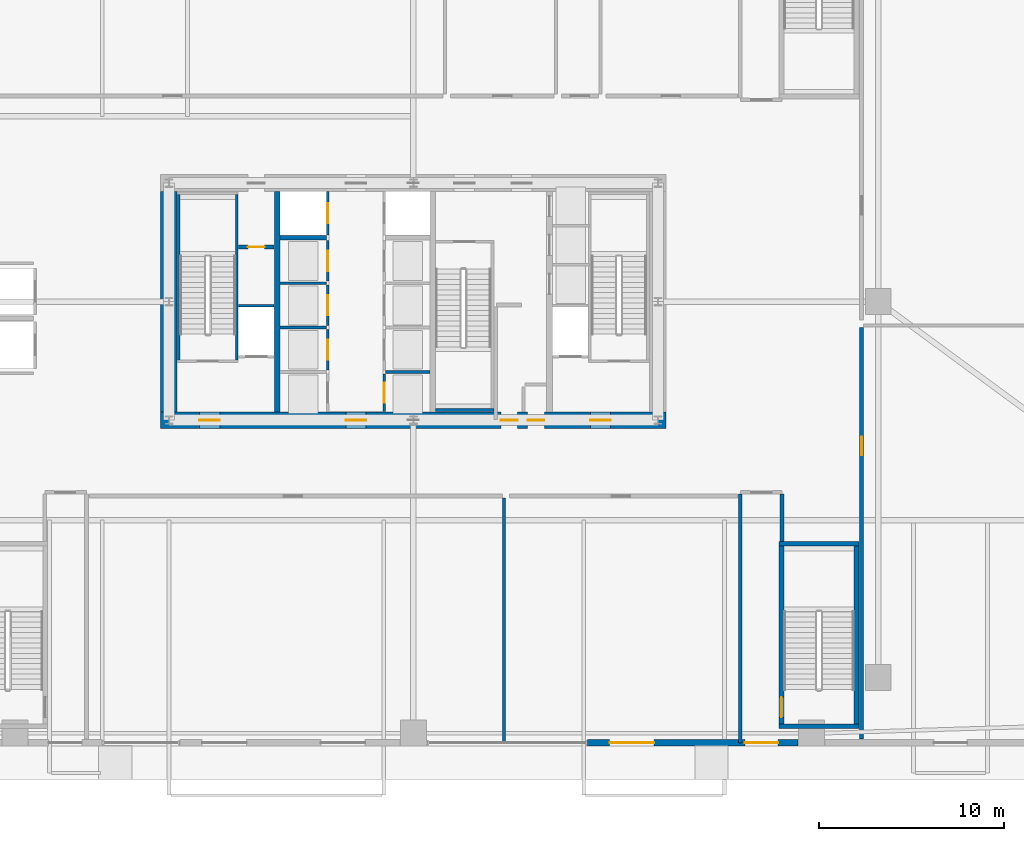
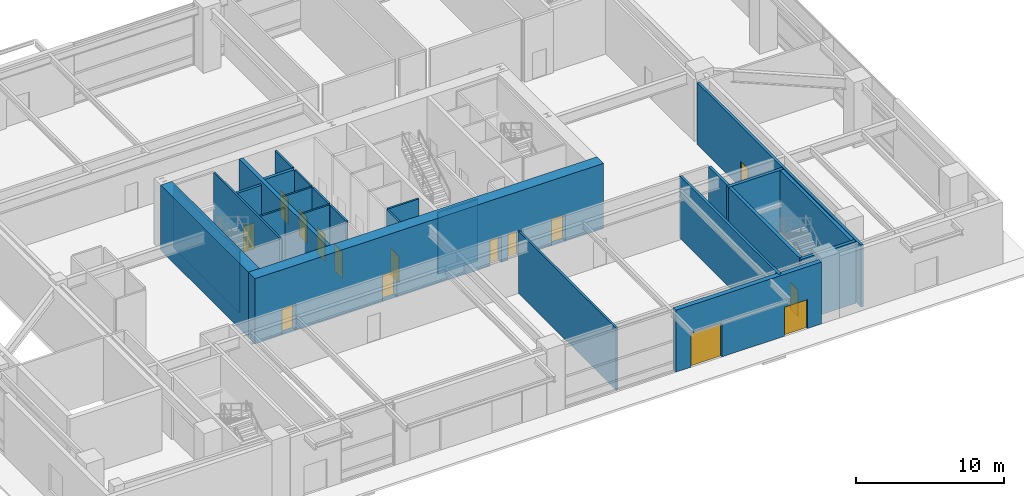
# One storey, part 25 of 32: 26 walls, 15 doors, 15 openings.
"""IFC4 building model written with IfcOpenShell, lengths in metres."""

from ifc_helpers import new_model, si_unit, direction, frame, frame_2d, origin, place, context, subcontext, project, spatial, rectangle, extrude, source, transform, mapped, material, layer, layer_set, type_object, element, fill, save


model = new_model("IFC4")

# Units and contexts
model_context = context("Model", 3, precision=1e-05, world=origin(), true_north=direction((0.0, 1.0)))
body_context = subcontext(model_context, "Body", "Model", "MODEL_VIEW")
ifc_project = project(units=[si_unit("LENGTHUNIT", "METRE"), si_unit("AREAUNIT", "SQUARE_METRE"), si_unit("VOLUMEUNIT", "CUBIC_METRE"), si_unit("PLANEANGLEUNIT", "RADIAN"), si_unit("MASSUNIT", "GRAM", prefix="KILO"), si_unit("THERMODYNAMICTEMPERATUREUNIT", "KELVIN"), si_unit("POWERUNIT", "WATT")], contexts=[model_context])

# Site, building, storey
site_placement = place(None, origin())
site = spatial("IfcSite", under=ifc_project, at=site_placement, CompositionType="ELEMENT")
building_placement = place(site_placement, origin())
building = spatial("IfcBuilding", under=site, at=building_placement, Name="Yuzanri Waterfront Tower", CompositionType="ELEMENT")
storey_placement = place(building_placement, origin())
storey = spatial("IfcBuildingStorey", under=building, at=storey_placement, Name="L01", CompositionType="ELEMENT", Elevation=0.0)

# Wall, openings, doors
ifc_material_1 = material(Name="Concrete C60", Category="concrete")
ifc_layer_1 = layer(ifc_material_1, 0.89990234375)
ifc_layer_set_1 = layer_set([ifc_layer_1], Name="Concrete C60")
wall_type_1 = type_object("IfcWallType", Name="Concrete C60 Lower Zone Core Shear Wall 900", PredefinedType="SHEAR", material=ifc_layer_set_1)
wall_1_placement = place(storey_placement, frame((23.35009765625, 19.39990234375, 0.0), z_axis=(0.0, 0.0, 1.0), x_axis=(1.0, 0.0, 0.0)))
wall_1 = element("IfcWall", 1, at=wall_1_placement, inside=storey, type_object=wall_type_1, Name="L01 Core South Shear Wall", PredefinedType="SHEAR", context=body_context, shape_type="SweptSolid", body=[
    extrude(rectangle(XDim=27.2998046875, YDim=0.89990234375, at=frame_2d((13.64990234375, 0.0))), origin(), (0.0, 0.0, 1.0), 5.39990234375),
])
opening_1_placement = place(wall_1_placement, frame((2.10009765625, 0.0, 0.0)))
opening_1 = element("IfcOpeningElement", 2, at=opening_1_placement, cuts=wall_1, Name="Opening FD-1100", PredefinedType="OPENING", context=body_context, shape_type="SweptSolid", body=[
    extrude(rectangle(XDim=1.10009765625, YDim=2.199951171875, at=frame_2d((0.550048828125, 1.10009765625))), frame((0.0, 0.46484375, 0.0), z_axis=(0.0, -1.0, 0.0), x_axis=(1.0, 0.0, 0.0)), (0.0, 0.0, 1.0), 0.9296875),
])
opening_2_placement = place(wall_1_placement, frame((10.0, 0.0, 0.0)))
opening_2 = element("IfcOpeningElement", 3, at=opening_2_placement, cuts=wall_1, Name="Opening FD-1100", PredefinedType="OPENING", context=body_context, shape_type="SweptSolid", body=[
    extrude(rectangle(XDim=1.10009765625, YDim=2.199951171875, at=frame_2d((0.550048828125, 1.10009765625))), frame((0.0, 0.46484375, 0.0), z_axis=(0.0, -1.0, 0.0), x_axis=(1.0, 0.0, 0.0)), (0.0, 0.0, 1.0), 0.9296875),
])
opening_3_placement = place(wall_1_placement, frame((23.199951171875, 0.0, 0.0)))
opening_3 = element("IfcOpeningElement", 4, at=opening_3_placement, cuts=wall_1, Name="Opening FD-1100", PredefinedType="OPENING", context=body_context, shape_type="SweptSolid", body=[
    extrude(rectangle(XDim=1.10009765625, YDim=2.199951171875, at=frame_2d((0.550048828125, 1.10009765625))), frame((0.0, 0.46484375, 0.0), z_axis=(0.0, -1.0, 0.0), x_axis=(1.0, 0.0, 0.0)), (0.0, 0.0, 1.0), 0.9296875),
])
opening_4_placement = place(wall_1_placement, frame((19.820068359375, 0.0, 0.0)))
opening_4 = element("IfcOpeningElement", 5, at=opening_4_placement, cuts=wall_1, Name="Opening FD-0900", PredefinedType="OPENING", context=body_context, shape_type="SweptSolid", body=[
    extrude(rectangle(XDim=0.89990234375, YDim=2.14990234375, at=frame_2d((0.449951171875, 1.074951171875))), frame((0.0, 0.46484375, 0.0), z_axis=(0.0, -1.0, 0.0), x_axis=(1.0, 0.0, 0.0)), (0.0, 0.0, 1.0), 0.9296875),
])
opening_5_placement = place(wall_1_placement, frame((18.3798828125, 0.0, 0.0)))
opening_5 = element("IfcOpeningElement", 6, at=opening_5_placement, cuts=wall_1, Name="Opening FD-0900", PredefinedType="OPENING", context=body_context, shape_type="SweptSolid", body=[
    extrude(rectangle(XDim=0.89990234375, YDim=2.14990234375, at=frame_2d((0.449951171875, 1.074951171875))), frame((0.0, 0.46484375, 0.0), z_axis=(0.0, -1.0, 0.0), x_axis=(1.0, 0.0, 0.0)), (0.0, 0.0, 1.0), 0.9296875),
])
ifc_material_2 = material(Name="Painted Galvanized Fire Steel", Category="steel")
door_type_1 = type_object("IfcDoorType", Name="Smoke-Proof Stair and Lobby Fire Door 1100x2200", OperationType="NOTDEFINED", PredefinedType="DOOR", material=ifc_material_2)
shared_shape_1 = source(origin(), body_context, "Body", "SweptSolid", [
    extrude(rectangle(XDim=1.10009765625, YDim=2.199951171875, at=frame_2d((0.550048828125, 1.10009765625))), frame((0.0, 0.02490234375, 0.0), z_axis=(0.0, -1.0, 0.0), x_axis=(1.0, 0.0, 0.0)), (0.0, 0.0, 1.0), 0.050048828125),
])
door_1_placement = place(opening_1_placement, origin())
door_1 = element("IfcDoor", 7, at=door_1_placement, inside=storey, type_object=door_type_1, Name="L01 West Firefighting Lobby Door", OperationType="SINGLE_SWING_LEFT", OverallHeight=2.199951171875, OverallWidth=1.10009765625, PredefinedType="DOOR", context=body_context, shape_type="MappedRepresentation", body=[
    mapped(shared_shape_1, transform((0.0, 0.0, 0.0), scale=1.0)),
])
fill(opening_1, door_1)
door_2_placement = place(opening_2_placement, origin())
door_2 = element("IfcDoor", 8, at=door_2_placement, inside=storey, type_object=door_type_1, Name="L01 Central Lift Lobby South Door", OperationType="SINGLE_SWING_RIGHT", OverallHeight=2.199951171875, OverallWidth=1.10009765625, PredefinedType="DOOR", context=body_context, shape_type="MappedRepresentation", body=[
    mapped(shared_shape_1, transform((0.0, 0.0, 0.0), scale=1.0)),
])
fill(opening_2, door_2)
door_3_placement = place(opening_3_placement, origin())
door_3 = element("IfcDoor", 9, at=door_3_placement, inside=storey, type_object=door_type_1, Name="L01 East Firefighting Lobby Door", OperationType="SINGLE_SWING_LEFT", OverallHeight=2.199951171875, OverallWidth=1.10009765625, PredefinedType="DOOR", context=body_context, shape_type="MappedRepresentation", body=[
    mapped(shared_shape_1, transform((0.0, 0.0, 0.0), scale=1.0)),
])
fill(opening_3, door_3)
ifc_material_3 = material(Name="Painted Galvanized Fire Steel", Category="steel")
door_type_2 = type_object("IfcDoorType", Name="Riser and Service Room Fire Door 900x2150", OperationType="NOTDEFINED", PredefinedType="DOOR", material=ifc_material_3)
shared_shape_2 = source(origin(), body_context, "Body", "SweptSolid", [
    extrude(rectangle(XDim=0.89990234375, YDim=2.14990234375, at=frame_2d((0.449951171875, 1.074951171875))), frame((0.0, 0.02490234375, 0.0), z_axis=(0.0, -1.0, 0.0), x_axis=(1.0, 0.0, 0.0)), (0.0, 0.0, 1.0), 0.050048828125),
])
door_4_placement = place(opening_4_placement, origin())
door_4 = element("IfcDoor", 10, at=door_4_placement, inside=storey, type_object=door_type_2, Name="L01 East Wet Riser Door", OperationType="SINGLE_SWING_LEFT", OverallHeight=2.14990234375, OverallWidth=0.89990234375, PredefinedType="DOOR", context=body_context, shape_type="MappedRepresentation", body=[
    mapped(shared_shape_2, transform((0.0, 0.0, 0.0), scale=1.0)),
])
fill(opening_4, door_4)
door_5_placement = place(opening_5_placement, origin())
door_5 = element("IfcDoor", 11, at=door_5_placement, inside=storey, type_object=door_type_2, Name="L01 Cleaners Store Room", OperationType="SINGLE_SWING_RIGHT", OverallHeight=2.14990234375, OverallWidth=0.89990234375, PredefinedType="DOOR", context=body_context, shape_type="MappedRepresentation", body=[
    mapped(shared_shape_2, transform((0.0, 0.0, 0.0), scale=1.0)),
])
fill(opening_5, door_5)

# Wall, opening, door
ifc_material_4 = material(Name="Concrete C40", Category="concrete")
ifc_layer_2 = layer(ifc_material_4, 0.139892578125)
ifc_layer_set_2 = layer_set([ifc_layer_2], Name="Concrete C40")
wall_type_2 = type_object("IfcWallType", Name="Core Stair Liner and Hoistway Shaft Wall 140", PredefinedType="SOLIDWALL", material=ifc_layer_set_2)
wall_2_placement = place(storey_placement, frame((32.3701171875, 22.10009765625, 0.0), z_axis=(0.0, 0.0, 1.0), x_axis=(0.0, 1.0, 0.0)))
wall_2 = element("IfcWall", 12, at=wall_2_placement, inside=storey, type_object=wall_type_2, Name="L01 Lift PL-02 Front Shaft Wall", PredefinedType="SOLIDWALL", context=body_context, shape_type="SweptSolid", body=[
    extrude(rectangle(XDim=2.199951171875, YDim=0.139892578125, at=frame_2d((1.10009765625, 0.0))), origin(), (0.0, 0.0, 1.0), 5.1201171875),
])
opening_6_placement = place(wall_2_placement, frame((0.550048828125, 0.0, 0.0)))
opening_6 = element("IfcOpeningElement", 13, at=opening_6_placement, cuts=wall_2, Name="Opening LD-PL-02", PredefinedType="OPENING", context=body_context, shape_type="SweptSolid", body=[
    extrude(rectangle(XDim=1.10009765625, YDim=2.199951171875, at=frame_2d((0.550048828125, 1.10009765625))), frame((0.0, 0.0849609375, 0.0), z_axis=(0.0, -1.0, 0.0), x_axis=(1.0, 0.0, 0.0)), (0.0, 0.0, 1.0), 0.169677734375),
])
ifc_material_5 = material(Name="Brushed Bronze and Stainless Steel Cab", Category="steel")
door_type_3 = type_object("IfcDoorType", Name="Center-Parting Bronze Lift Landing Sliding Door 1100x2200", OperationType="NOTDEFINED", PredefinedType="DOOR", material=ifc_material_5)
shared_shape_3 = source(origin(), body_context, "Body", "SweptSolid", [
    extrude(rectangle(XDim=1.10009765625, YDim=2.199951171875, at=frame_2d((0.550048828125, 1.10009765625))), frame((0.0, 0.02490234375, 0.0), z_axis=(0.0, -1.0, 0.0), x_axis=(1.0, 0.0, 0.0)), (0.0, 0.0, 1.0), 0.050048828125),
])
door_6_placement = place(opening_6_placement, origin())
door_6 = element("IfcDoor", 14, at=door_6_placement, inside=storey, type_object=door_type_3, Name="L01 PL-02 Lift Landing Sliding Door", OperationType="SLIDING_TO_RIGHT", OverallHeight=2.199951171875, OverallWidth=1.10009765625, PredefinedType="DOOR", context=body_context, shape_type="MappedRepresentation", body=[
    mapped(shared_shape_3, transform((0.0, 0.0, 0.0), scale=1.0)),
])
fill(opening_6, door_6)

wall_3_placement = place(storey_placement, frame((32.3701171875, 24.5, 0.0), z_axis=(0.0, 0.0, 1.0), x_axis=(0.0, 1.0, 0.0)))
wall_3 = element("IfcWall", 15, at=wall_3_placement, inside=storey, type_object=wall_type_2, Name="L01 Lift PL-03 Front Shaft Wall", PredefinedType="SOLIDWALL", context=body_context, shape_type="SweptSolid", body=[
    extrude(rectangle(XDim=2.199951171875, YDim=0.139892578125, at=frame_2d((1.10009765625, 0.0))), origin(), (0.0, 0.0, 1.0), 5.1201171875),
])
opening_7_placement = place(wall_3_placement, frame((0.550048828125, 0.0, 0.0)))
opening_7 = element("IfcOpeningElement", 16, at=opening_7_placement, cuts=wall_3, Name="Opening LD-PL-03", PredefinedType="OPENING", context=body_context, shape_type="SweptSolid", body=[
    extrude(rectangle(XDim=1.10009765625, YDim=2.199951171875, at=frame_2d((0.550048828125, 1.10009765625))), frame((0.0, 0.0849609375, 0.0), z_axis=(0.0, -1.0, 0.0), x_axis=(1.0, 0.0, 0.0)), (0.0, 0.0, 1.0), 0.169677734375),
])
door_7_placement = place(opening_7_placement, origin())
door_7 = element("IfcDoor", 17, at=door_7_placement, inside=storey, type_object=door_type_3, Name="L01 PL-03 Lift Landing Sliding Door", OperationType="SLIDING_TO_LEFT", OverallHeight=2.199951171875, OverallWidth=1.10009765625, PredefinedType="DOOR", context=body_context, shape_type="MappedRepresentation", body=[
    mapped(shared_shape_3, transform((0.0, 0.0, 0.0), scale=1.0)),
])
fill(opening_7, door_7)

wall_4_placement = place(storey_placement, frame((32.3701171875, 26.89990234375, 0.0), z_axis=(0.0, 0.0, 1.0), x_axis=(0.0, 1.0, 0.0)))
wall_4 = element("IfcWall", 18, at=wall_4_placement, inside=storey, type_object=wall_type_2, Name="L01 Lift PL-04 Front Shaft Wall", PredefinedType="SOLIDWALL", context=body_context, shape_type="SweptSolid", body=[
    extrude(rectangle(XDim=2.2001953125, YDim=0.139892578125, at=frame_2d((1.10009765625, 0.0))), origin(), (0.0, 0.0, 1.0), 5.1201171875),
])
opening_8_placement = place(wall_4_placement, frame((0.550048828125, 0.0, 0.0)))
opening_8 = element("IfcOpeningElement", 19, at=opening_8_placement, cuts=wall_4, Name="Opening LD-PL-04", PredefinedType="OPENING", context=body_context, shape_type="SweptSolid", body=[
    extrude(rectangle(XDim=1.10009765625, YDim=2.199951171875, at=frame_2d((0.550048828125, 1.10009765625))), frame((0.0, 0.0849609375, 0.0), z_axis=(0.0, -1.0, 0.0), x_axis=(1.0, 0.0, 0.0)), (0.0, 0.0, 1.0), 0.169677734375),
])
door_8_placement = place(opening_8_placement, origin())
door_8 = element("IfcDoor", 20, at=door_8_placement, inside=storey, type_object=door_type_3, Name="L01 PL-04 Lift Landing Sliding Door", OperationType="SLIDING_TO_RIGHT", OverallHeight=2.199951171875, OverallWidth=1.10009765625, PredefinedType="DOOR", context=body_context, shape_type="MappedRepresentation", body=[
    mapped(shared_shape_3, transform((0.0, 0.0, 0.0), scale=1.0)),
])
fill(opening_8, door_8)

wall_5_placement = place(storey_placement, frame((32.3701171875, 29.39990234375, 0.0), z_axis=(0.0, 0.0, 1.0), x_axis=(0.0, 1.0, 0.0)))
wall_5 = element("IfcWall", 21, at=wall_5_placement, inside=storey, type_object=wall_type_2, Name="L01 Lift SL-01 Front Shaft Wall", PredefinedType="SOLIDWALL", context=body_context, shape_type="SweptSolid", body=[
    extrude(rectangle(XDim=2.340087890625, YDim=0.139892578125, at=frame_2d((1.169921875, 0.0))), origin(), (0.0, 0.0, 1.0), 5.1201171875),
])
opening_9_placement = place(wall_5_placement, frame((0.6201171875, 0.0, 0.0)))
opening_9 = element("IfcOpeningElement", 22, at=opening_9_placement, cuts=wall_5, Name="Opening LD-SL-01", PredefinedType="OPENING", context=body_context, shape_type="SweptSolid", body=[
    extrude(rectangle(XDim=1.10009765625, YDim=2.199951171875, at=frame_2d((0.550048828125, 1.10009765625))), frame((0.0, 0.0849609375, 0.0), z_axis=(0.0, -1.0, 0.0), x_axis=(1.0, 0.0, 0.0)), (0.0, 0.0, 1.0), 0.169677734375),
])
door_9_placement = place(opening_9_placement, origin())
door_9 = element("IfcDoor", 23, at=door_9_placement, inside=storey, type_object=door_type_3, Name="L01 SL-01 Lift Landing Sliding Door", OperationType="SLIDING_TO_LEFT", OverallHeight=2.199951171875, OverallWidth=1.10009765625, PredefinedType="DOOR", context=body_context, shape_type="MappedRepresentation", body=[
    mapped(shared_shape_3, transform((0.0, 0.0, 0.0), scale=1.0)),
])
fill(opening_9, door_9)

wall_6_placement = place(storey_placement, frame((35.429931640625, 19.860107421875, 0.0), z_axis=(0.0, 0.0, 1.0), x_axis=(0.0, 1.0, 0.0)))
wall_6 = element("IfcWall", 24, at=wall_6_placement, inside=storey, type_object=wall_type_2, Name="L01 Lift PL-05 Front Shaft Wall", PredefinedType="SOLIDWALL", context=body_context, shape_type="SweptSolid", body=[
    extrude(rectangle(XDim=2.039794921875, YDim=0.139892578125, at=frame_2d((1.02001953125, 0.0))), origin(), (0.0, 0.0, 1.0), 5.1201171875),
])
opening_10_placement = place(wall_6_placement, frame((0.469970703125, 0.0, 0.0)))
opening_10 = element("IfcOpeningElement", 25, at=opening_10_placement, cuts=wall_6, Name="Opening LD-PL-05", PredefinedType="OPENING", context=body_context, shape_type="SweptSolid", body=[
    extrude(rectangle(XDim=1.10009765625, YDim=2.199951171875, at=frame_2d((0.550048828125, 1.10009765625))), frame((0.0, 0.0849609375, 0.0), z_axis=(0.0, -1.0, 0.0), x_axis=(1.0, 0.0, 0.0)), (0.0, 0.0, 1.0), 0.169677734375),
])
door_10_placement = place(opening_10_placement, origin())
door_10 = element("IfcDoor", 26, at=door_10_placement, inside=storey, type_object=door_type_3, Name="L01 PL-05 Lift Landing Sliding Door", OperationType="SLIDING_TO_RIGHT", OverallHeight=2.199951171875, OverallWidth=1.10009765625, PredefinedType="DOOR", context=body_context, shape_type="MappedRepresentation", body=[
    mapped(shared_shape_3, transform((0.0, 0.0, 0.0), scale=1.0)),
])
fill(opening_10, door_10)

ifc_material_6 = material(Name="Autoclaved Aerated Concrete Blockwork", Category="masonry")
ifc_layer_3 = layer(ifc_material_6, 0.199951171875)
ifc_layer_set_3 = layer_set([ifc_layer_3], Name="Autoclaved Aerated Concrete Blockwork")
wall_type_3 = type_object("IfcWallType", Name="Corridor and Unit Party Fire Wall 200", PredefinedType="PARTITIONING", material=ifc_layer_set_3)
wall_7_placement = place(storey_placement, frame((27.56005859375, 28.75, 0.0), z_axis=(0.0, 0.0, 1.0), x_axis=(1.0, 0.0, 0.0)))
wall_7 = element("IfcWall", 27, at=wall_7_placement, inside=storey, type_object=wall_type_3, Name="L01 Partition CRW-L01-ERTR", PredefinedType="PARTITIONING", context=body_context, shape_type="SweptSolid", body=[
    extrude(rectangle(XDim=1.919921875, YDim=0.199951171875, at=frame_2d((0.9599609375, 0.0))), origin(), (0.0, 0.0, 1.0), 5.1201171875),
])
opening_11_placement = place(wall_7_placement, frame((0.510009765625, 0.0, 0.0)))
opening_11 = element("IfcOpeningElement", 28, at=opening_11_placement, cuts=wall_7, Name="Opening FD-0900", PredefinedType="OPENING", context=body_context, shape_type="SweptSolid", body=[
    extrude(rectangle(XDim=0.89990234375, YDim=2.14990234375, at=frame_2d((0.449951171875, 1.074951171875))), frame((0.0, 0.11474609375, 0.0), z_axis=(0.0, -1.0, 0.0), x_axis=(1.0, 0.0, 0.0)), (0.0, 0.0, 1.0), 0.229736328125),
])
door_11_placement = place(opening_11_placement, origin())
door_11 = element("IfcDoor", 29, at=door_11_placement, inside=storey, type_object=door_type_2, Name="L01 Electrical Riser Door", OperationType="SINGLE_SWING_RIGHT", OverallHeight=2.14990234375, OverallWidth=0.89990234375, PredefinedType="DOOR", context=body_context, shape_type="MappedRepresentation", body=[
    mapped(shared_shape_2, transform((0.0, 0.0, 0.0), scale=1.0)),
])
fill(opening_11, door_11)

wall_8_placement = place(storey_placement, frame((61.199951171875, 2.179931640625, 0.0), z_axis=(0.0, 0.0, 1.0), x_axis=(0.0, 1.0, 0.0)))
wall_8 = element("IfcWall", 30, at=wall_8_placement, inside=storey, type_object=wall_type_3, Name="L01 Partition PRW-L01-029-W", PredefinedType="PARTITIONING", context=body_context, shape_type="SweptSolid", body=[
    extrude(rectangle(XDim=22.219970703125, YDim=0.199951171875, at=frame_2d((11.10986328125, 0.0))), origin(), (0.0, 0.0, 1.0), 5.1201171875),
])
opening_12_placement = place(wall_8_placement, frame((15.320068359375, 0.0, 0.0)))
opening_12 = element("IfcOpeningElement", 31, at=opening_12_placement, cuts=wall_8, Name="Opening FD-1000", PredefinedType="OPENING", context=body_context, shape_type="SweptSolid", body=[
    extrude(rectangle(XDim=1.0, YDim=2.199951171875, at=frame_2d((0.5, 1.10009765625))), frame((0.0, 0.11474609375, 0.0), z_axis=(0.0, -1.0, 0.0), x_axis=(1.0, 0.0, 0.0)), (0.0, 0.0, 1.0), 0.229736328125),
])
ifc_material_7 = material(Name="Engineered Oak Fire-Rated Timber", Category="wood")
door_type_4 = type_object("IfcDoorType", Name="Guestroom and Apartment Entrance Fire Door 1000x2200", OperationType="NOTDEFINED", PredefinedType="DOOR", material=ifc_material_7)
shared_shape_4 = source(origin(), body_context, "Body", "SweptSolid", [
    extrude(rectangle(XDim=1.0, YDim=2.199951171875, at=frame_2d((0.5, 1.10009765625))), frame((0.0, 0.02490234375, 0.0), z_axis=(0.0, -1.0, 0.0), x_axis=(1.0, 0.0, 0.0)), (0.0, 0.0, 1.0), 0.050048828125),
])
door_12_placement = place(opening_12_placement, origin())
door_12 = element("IfcDoor", 32, at=door_12_placement, inside=storey, type_object=door_type_4, Name="L01 Flagship Waterfront Retail Gallery", OperationType="SINGLE_SWING_LEFT", OverallHeight=2.199951171875, OverallWidth=1.0, PredefinedType="DOOR", context=body_context, shape_type="MappedRepresentation", body=[
    mapped(shared_shape_4, transform((0.0, 0.0, 0.0), scale=1.0)),
])
fill(opening_12, door_12)

# Wall, openings, doors
ifc_material_8 = material(Name="Honed Chongqing Dark Basalt Stone", Category="masonry")
ifc_layer_4 = layer(ifc_material_8, 0.360107421875)
ifc_layer_set_4 = layer_set([ifc_layer_4], Name="Honed Chongqing Dark Basalt Stone")
wall_type_4 = type_object("IfcWallType", Name="Honed Basalt Stone Masonry-Frame Spandrel Wall 360", PredefinedType="SOLIDWALL", material=ifc_layer_set_4)
wall_9_placement = place(storey_placement, frame((57.780029296875, 1.97998046875, 0.0), z_axis=(0.0, 0.0, 1.0), x_axis=(-1.0, 0.0, 0.0)))
wall_9 = element("IfcWall", 33, at=wall_9_placement, inside=storey, type_object=wall_type_4, Name="L01 Residences and SE Stair Entrance Portal", PredefinedType="SOLIDWALL", context=body_context, shape_type="SweptSolid", body=[
    extrude(rectangle(XDim=11.380126953125, YDim=0.360107421875, at=frame_2d((5.68994140625, 0.0))), origin(), (0.0, 0.0, 1.0), 5.1201171875),
])
opening_13_placement = place(wall_9_placement, frame((7.780029296875, 0.0, 0.0)))
opening_13 = element("IfcOpeningElement", 34, at=opening_13_placement, cuts=wall_9, Name="Opening ED-2400", PredefinedType="OPENING", context=body_context, shape_type="SweptSolid", body=[
    extrude(rectangle(XDim=2.39990234375, YDim=2.800048828125, at=frame_2d((1.199951171875, 1.39990234375))), frame((0.0, 0.19482421875, 0.0), z_axis=(0.0, -1.0, 0.0), x_axis=(1.0, 0.0, 0.0)), (0.0, 0.0, 1.0), 0.389892578125),
])
opening_14_placement = place(wall_9_placement, frame((1.080078125, 0.0, 0.0)))
opening_14 = element("IfcOpeningElement", 35, at=opening_14_placement, cuts=wall_9, Name="Opening ED-1800", PredefinedType="OPENING", context=body_context, shape_type="SweptSolid", body=[
    extrude(rectangle(XDim=1.800048828125, YDim=2.39990234375, at=frame_2d((0.89990234375, 1.199951171875))), frame((0.0, 0.19482421875, 0.0), z_axis=(0.0, -1.0, 0.0), x_axis=(1.0, 0.0, 0.0)), (0.0, 0.0, 1.0), 0.389892578125),
])
ifc_material_9 = material(Name="Anodized Architectural Bronze", Category="metal")
door_type_5 = type_object("IfcDoorType", Name="Anodized Bronze Retail Streetfront Glazed Double Entrance Door 1800x2400", OperationType="NOTDEFINED", PredefinedType="DOOR", material=ifc_material_9)
shared_shape_5 = source(origin(), body_context, "Body", "SweptSolid", [
    extrude(rectangle(XDim=1.800048828125, YDim=2.39990234375, at=frame_2d((0.89990234375, 1.199951171875))), frame((0.0, 0.02490234375, 0.0), z_axis=(0.0, -1.0, 0.0), x_axis=(1.0, 0.0, 0.0)), (0.0, 0.0, 1.0), 0.050048828125),
])
door_13_placement = place(opening_14_placement, origin())
door_13 = element("IfcDoor", 36, at=door_13_placement, inside=storey, type_object=door_type_5, Name="L01 SE Stair Street Discharge Door", OperationType="DOUBLE_DOOR_SINGLE_SWING", OverallHeight=2.39990234375, OverallWidth=1.800048828125, PredefinedType="DOOR", context=body_context, shape_type="MappedRepresentation", body=[
    mapped(shared_shape_5, transform((0.0, 0.0, 0.0), scale=1.0)),
])
fill(opening_14, door_13)
ifc_material_10 = material(Name="Anodized Architectural Bronze", Category="metal")
door_type_6 = type_object("IfcDoorType", Name="Anodized Bronze Waterfront Lobby Glazed Double Entrance Door 2400x2800", OperationType="NOTDEFINED", PredefinedType="DOOR", material=ifc_material_10)
shared_shape_6 = source(origin(), body_context, "Body", "SweptSolid", [
    extrude(rectangle(XDim=2.39990234375, YDim=2.800048828125, at=frame_2d((1.199951171875, 1.39990234375))), frame((0.0, 0.02490234375, 0.0), z_axis=(0.0, -1.0, 0.0), x_axis=(1.0, 0.0, 0.0)), (0.0, 0.0, 1.0), 0.050048828125),
])
door_14_placement = place(opening_13_placement, origin())
door_14 = element("IfcDoor", 37, at=door_14_placement, inside=storey, type_object=door_type_6, Name="L01 Residences Waterfront Entrance Door", OperationType="DOUBLE_DOOR_SINGLE_SWING", OverallHeight=2.800048828125, OverallWidth=2.39990234375, PredefinedType="DOOR", context=body_context, shape_type="MappedRepresentation", body=[
    mapped(shared_shape_6, transform((0.0, 0.0, 0.0), scale=1.0)),
])
fill(opening_13, door_14)

# Wall, opening, door
ifc_material_11 = material(Name="Concrete C40", Category="concrete")
ifc_layer_5 = layer(ifc_material_11, 0.25)
ifc_layer_set_5 = layer_set([ifc_layer_5], Name="Concrete C40")
wall_type_5 = type_object("IfcWallType", Name="Smoke-Proof Stair and Lift Shaft Wall 250", PredefinedType="SOLIDWALL", material=ifc_layer_set_5)
wall_10_placement = place(storey_placement, frame((56.875, 3.0, 0.0), z_axis=(0.0, 0.0, 1.0), x_axis=(0.0, 1.0, 0.0)))
wall_10 = element("IfcWall", 38, at=wall_10_placement, inside=storey, type_object=wall_type_5, Name="L01 Shaft Wall PSTW-L01-PST-02-W", PredefinedType="SOLIDWALL", context=body_context, shape_type="SweptSolid", body=[
    extrude(rectangle(XDim=9.60009765625, YDim=0.25, at=frame_2d((4.800048828125, 0.0))), origin(), (0.0, 0.0, 1.0), 5.1201171875),
])
opening_15_placement = place(wall_10_placement, frame((0.35009765625, 0.0, 0.0)))
opening_15 = element("IfcOpeningElement", 39, at=opening_15_placement, cuts=wall_10, Name="Opening FD-1100", PredefinedType="OPENING", context=body_context, shape_type="SweptSolid", body=[
    extrude(rectangle(XDim=1.10009765625, YDim=2.199951171875, at=frame_2d((0.550048828125, 1.10009765625))), frame((0.0, 0.139892578125, 0.0), z_axis=(0.0, -1.0, 0.0), x_axis=(1.0, 0.0, 0.0)), (0.0, 0.0, 1.0), 0.27978515625),
])
door_15_placement = place(opening_15_placement, origin())
door_15 = element("IfcDoor", 40, at=door_15_placement, inside=storey, type_object=door_type_1, Name="L01 PST-02 Stair Door", OperationType="SINGLE_SWING_LEFT", OverallHeight=2.199951171875, OverallWidth=1.10009765625, PredefinedType="DOOR", context=body_context, shape_type="MappedRepresentation", body=[
    mapped(shared_shape_1, transform((0.0, 0.0, 0.0), scale=1.0)),
])
fill(opening_15, door_15)

# Walls
shared_shape_7 = source(origin(), body_context, "Body", "SweptSolid", [
    extrude(rectangle(XDim=11.89990234375, YDim=0.89990234375, at=frame_2d((5.949951171875, 0.0))), origin(), (0.0, 0.0, 1.0), 5.39990234375),
])
wall_11_placement = place(storey_placement, frame((23.800048828125, 19.85009765625, 0.0), z_axis=(0.0, 0.0, 1.0), x_axis=(0.0, 1.0, 0.0)))
element("IfcWall", 41, at=wall_11_placement, inside=storey, type_object=wall_type_1, Name="L01 Core West Shear Wall", PredefinedType="SHEAR", context=body_context, shape_type="MappedRepresentation", body=[
    mapped(shared_shape_7, transform((0.0, 0.0, 0.0), scale=1.0)),
])
ifc_material_12 = material(Name="Concrete C50", Category="concrete")
ifc_layer_6 = layer(ifc_material_12, 0.300048828125)
ifc_layer_set_6 = layer_set([ifc_layer_6], Name="Concrete C50")
wall_type_6 = type_object("IfcWallType", Name="Concrete C50 Internal Core Shaft Structural Wall 300", PredefinedType="SOLIDWALL", material=ifc_layer_set_6)
shared_shape_8 = source(origin(), body_context, "Body", "SweptSolid", [
    extrude(rectangle(XDim=11.89990234375, YDim=0.300048828125, at=frame_2d((5.949951171875, 0.0))), origin(), (0.0, 0.0, 1.0), 5.39990234375),
])
wall_12_placement = place(storey_placement, frame((29.64990234375, 19.85009765625, 0.0), z_axis=(0.0, 0.0, 1.0), x_axis=(0.0, 1.0, 0.0)))
element("IfcWall", 42, at=wall_12_placement, inside=storey, type_object=wall_type_6, Name="L01 Core Internal Structural Web Wall 1", PredefinedType="SOLIDWALL", context=body_context, shape_type="MappedRepresentation", body=[
    mapped(shared_shape_8, transform((0.0, 0.0, 0.0), scale=1.0)),
])
shared_shape_9 = source(origin(), body_context, "Body", "SweptSolid", [
    extrude(rectangle(XDim=1.919921875, YDim=0.139892578125, at=frame_2d((0.9599609375, 0.0))), origin(), (0.0, 0.0, 1.0), 5.1201171875),
])
wall_13_placement = place(storey_placement, frame((27.56005859375, 25.570068359375, 0.0), z_axis=(0.0, 0.0, 1.0), x_axis=(1.0, 0.0, 0.0)))
element("IfcWall", 43, at=wall_13_placement, inside=storey, type_object=wall_type_2, Name="L01 Lift FL-01 Back Shaft Wall", PredefinedType="SOLIDWALL", context=body_context, shape_type="MappedRepresentation", body=[
    mapped(shared_shape_9, transform((0.0, 0.0, 0.0), scale=1.0)),
])
shared_shape_10 = source(origin(), body_context, "Body", "SweptSolid", [
    extrude(rectangle(XDim=2.5, YDim=0.139892578125, at=frame_2d((1.25, 0.0))), origin(), (0.0, 0.0, 1.0), 5.1201171875),
])
for number, where, z_axis, x_axis, name in (
    (44, (29.800048828125, 24.39990234375, 0.0), (0.0, 0.0, 1.0), (1.0, 0.0, 0.0), "L01 Lift PL-02 Divider Wall"),
    (45, (29.800048828125, 26.800048828125, 0.0), (0.0, 0.0, 1.0), (1.0, 0.0, 0.0), "L01 Lift PL-03 Divider Wall"),
):
    element("IfcWall", number, at=place(storey_placement, frame(where, z_axis=z_axis, x_axis=x_axis)), inside=storey, type_object=wall_type_2, Name=name, PredefinedType="SOLIDWALL", context=body_context, shape_type="MappedRepresentation", body=[
        mapped(shared_shape_10, transform((0.0, 0.0, 0.0), scale=1.0)),
    ])
shared_shape_11 = source(origin(), body_context, "Body", "SweptSolid", [
    extrude(rectangle(XDim=2.5, YDim=0.25, at=frame_2d((1.25, 0.0))), origin(), (0.0, 0.0, 1.0), 5.1201171875),
])
wall_14_placement = place(storey_placement, frame((29.800048828125, 29.25, 0.0), z_axis=(0.0, 0.0, 1.0), x_axis=(1.0, 0.0, 0.0)))
element("IfcWall", 46, at=wall_14_placement, inside=storey, type_object=wall_type_5, Name="L01 Lift SL-01 South Shaft Wall", PredefinedType="SOLIDWALL", context=body_context, shape_type="MappedRepresentation", body=[
    mapped(shared_shape_11, transform((0.0, 0.0, 0.0), scale=1.0)),
])
shared_shape_12 = source(origin(), body_context, "Body", "SweptSolid", [
    extrude(rectangle(XDim=2.39990234375, YDim=0.139892578125, at=frame_2d((1.199951171875, 0.0))), origin(), (0.0, 0.0, 1.0), 5.1201171875),
])
wall_15_placement = place(storey_placement, frame((35.5, 22.0, 0.0), z_axis=(0.0, 0.0, 1.0), x_axis=(1.0, 0.0, 0.0)))
element("IfcWall", 47, at=wall_15_placement, inside=storey, type_object=wall_type_2, Name="L01 Lift PL-05 Divider Wall", PredefinedType="SOLIDWALL", context=body_context, shape_type="MappedRepresentation", body=[
    mapped(shared_shape_12, transform((0.0, 0.0, 0.0), scale=1.0)),
])
shared_shape_13 = source(origin(), body_context, "Body", "SweptSolid", [
    extrude(rectangle(XDim=8.940185546875, YDim=0.139892578125, at=frame_2d((4.47021484375, 0.0))), origin(), (0.0, 0.0, 1.0), 5.1201171875),
])
for number, where, z_axis, x_axis, name in (
    (48, (24.330078125, 22.639892578125, 0.0), (0.0, 0.0, 1.0), (0.0, 1.0, 0.0), "L01 Stair ST-01 West Shaft Wall"),
    (49, (27.469970703125, 22.639892578125, 0.0), (0.0, 0.0, 1.0), (0.0, 1.0, 0.0), "L01 Stair ST-01 East Shaft Wall"),
):
    element("IfcWall", number, at=place(storey_placement, frame(where, z_axis=z_axis, x_axis=x_axis)), inside=storey, type_object=wall_type_2, Name=name, PredefinedType="SOLIDWALL", context=body_context, shape_type="MappedRepresentation", body=[
        mapped(shared_shape_13, transform((0.0, 0.0, 0.0), scale=1.0)),
    ])
shared_shape_14 = source(origin(), body_context, "Body", "SweptSolid", [
    extrude(rectangle(XDim=3.14013671875, YDim=0.139892578125, at=frame_2d((1.570068359375, 0.0))), origin(), (0.0, 0.0, 1.0), 5.1201171875),
])
wall_16_placement = place(storey_placement, frame((38.199951171875, 19.949951171875, 0.0), z_axis=(0.0, 0.0, 1.0), x_axis=(1.0, 0.0, 0.0)))
element("IfcWall", 50, at=wall_16_placement, inside=storey, type_object=wall_type_2, Name="L01 Stair ST-03 South Shaft Wall", PredefinedType="SOLIDWALL", context=body_context, shape_type="MappedRepresentation", body=[
    mapped(shared_shape_14, transform((0.0, 0.0, 0.0), scale=1.0)),
])
shared_shape_15 = source(origin(), body_context, "Body", "SweptSolid", [
    extrude(rectangle(XDim=4.300048828125, YDim=0.25, at=frame_2d((2.14990234375, 0.0))), origin(), (0.0, 0.0, 1.0), 5.1201171875),
])
for number, where, z_axis, x_axis, name in (
    (51, (56.75, 2.875, 0.0), (0.0, 0.0, 1.0), (1.0, 0.0, 0.0), "L01 PST-02 South Wall"),
    (52, (56.75, 12.72509765625, 0.0), (0.0, 0.0, 1.0), (1.0, 0.0, 0.0), "L01 PST-02 North Wall"),
):
    element("IfcWall", number, at=place(storey_placement, frame(where, z_axis=z_axis, x_axis=x_axis)), inside=storey, type_object=wall_type_5, Name=name, PredefinedType="SOLIDWALL", context=body_context, shape_type="MappedRepresentation", body=[
        mapped(shared_shape_15, transform((0.0, 0.0, 0.0), scale=1.0)),
    ])
shared_shape_16 = source(origin(), body_context, "Body", "SweptSolid", [
    extrude(rectangle(XDim=9.60009765625, YDim=0.25, at=frame_2d((4.800048828125, 0.0))), origin(), (0.0, 0.0, 1.0), 5.1201171875),
])
wall_17_placement = place(storey_placement, frame((60.925048828125, 3.0, 0.0), z_axis=(0.0, 0.0, 1.0), x_axis=(0.0, 1.0, 0.0)))
element("IfcWall", 53, at=wall_17_placement, inside=storey, type_object=wall_type_5, Name="L01 Shaft Wall PSTW-L01-PST-02-E", PredefinedType="SOLIDWALL", context=body_context, shape_type="MappedRepresentation", body=[
    mapped(shared_shape_16, transform((0.0, 0.0, 0.0), scale=1.0)),
])
shared_shape_17 = source(origin(), body_context, "Body", "SweptSolid", [
    extrude(rectangle(XDim=2.5498046875, YDim=0.199951171875, at=frame_2d((1.27490234375, 0.0))), origin(), (0.0, 0.0, 1.0), 5.1201171875),
])
wall_18_placement = place(storey_placement, frame((56.89990234375, 12.85009765625, 0.0), z_axis=(0.0, 0.0, 1.0), x_axis=(0.0, 1.0, 0.0)))
element("IfcWall", 54, at=wall_18_placement, inside=storey, type_object=wall_type_3, Name="L01 South-East Exit Passage East Fire Wall", PredefinedType="PARTITIONING", context=body_context, shape_type="MappedRepresentation", body=[
    mapped(shared_shape_17, transform((0.0, 0.0, 0.0), scale=1.0)),
])
shared_shape_18 = source(origin(), body_context, "Body", "SweptSolid", [
    extrude(rectangle(XDim=13.419921875, YDim=0.199951171875, at=frame_2d((6.7099609375, 0.0))), origin(), (0.0, 0.0, 1.0), 5.1201171875),
])
wall_19_placement = place(storey_placement, frame((54.64990234375, 1.97998046875, 0.0), z_axis=(0.0, 0.0, 1.0), x_axis=(0.0, 1.0, 0.0)))
element("IfcWall", 55, at=wall_19_placement, inside=storey, type_object=wall_type_3, Name="L01 South-East Exit Passage West Fire Wall", PredefinedType="PARTITIONING", context=body_context, shape_type="MappedRepresentation", body=[
    mapped(shared_shape_18, transform((0.0, 0.0, 0.0), scale=1.0)),
])
ifc_material_13 = material(Name="Gypsum Fireboard Acoustic Stud Wall", Category="gypsum")
ifc_layer_7 = layer(ifc_material_13, 0.159912109375)
ifc_layer_set_7 = layer_set([ifc_layer_7], Name="Gypsum Fireboard Acoustic Stud Wall")
wall_type_7 = type_object("IfcWallType", Name="Acoustic Suite Demising Partition 160", PredefinedType="PARTITIONING", material=ifc_layer_set_7)
shared_shape_19 = source(origin(), body_context, "Body", "SweptSolid", [
    extrude(rectangle(XDim=13.219970703125, YDim=0.159912109375, at=frame_2d((6.60986328125, 0.0))), origin(), (0.0, 0.0, 1.0), 5.1201171875),
])
wall_20_placement = place(storey_placement, frame((41.89990234375, 1.97998046875, 0.0), z_axis=(0.0, 0.0, 1.0), x_axis=(0.0, 1.0, 0.0)))
element("IfcWall", 56, at=wall_20_placement, inside=storey, type_object=wall_type_7, Name="L01-027 Demising Wall", PredefinedType="PARTITIONING", context=body_context, shape_type="MappedRepresentation", body=[
    mapped(shared_shape_19, transform((0.0, 0.0, 0.0), scale=1.0)),
])

save(model, "model.ifc")
